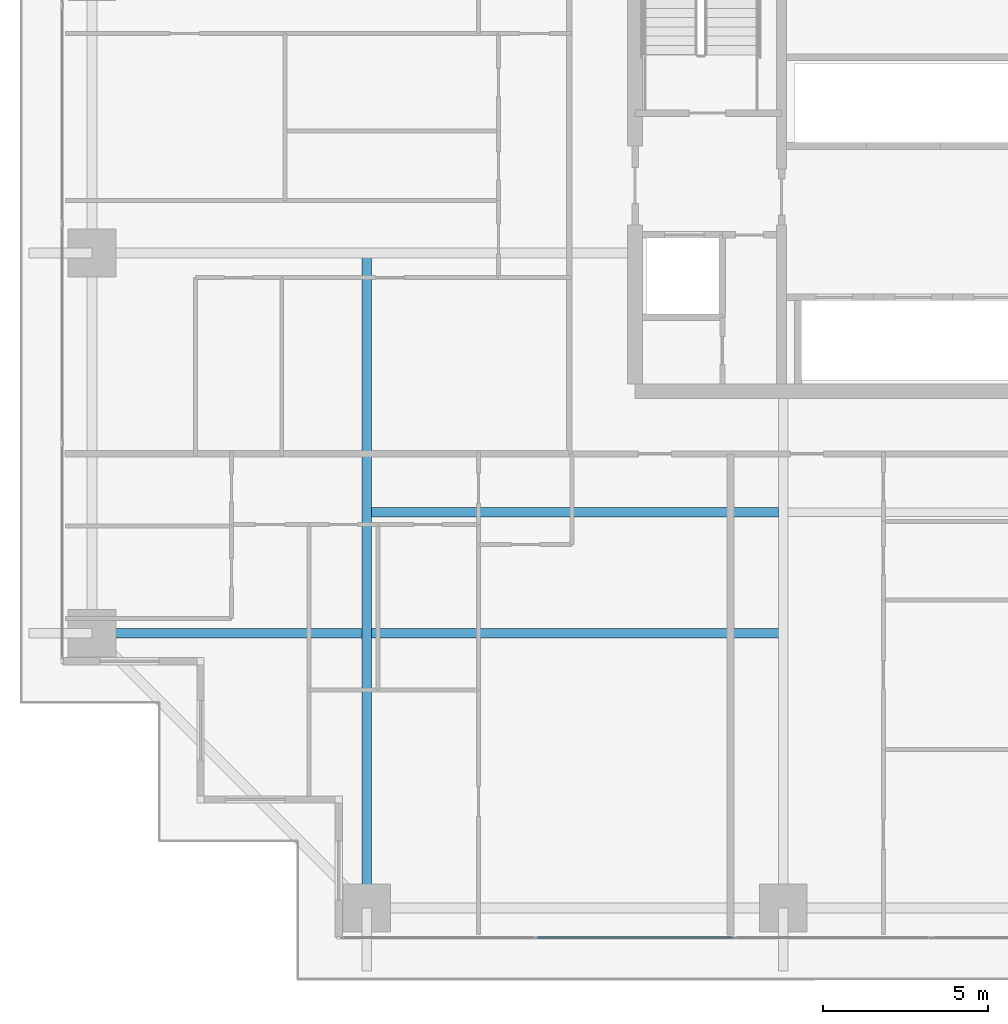
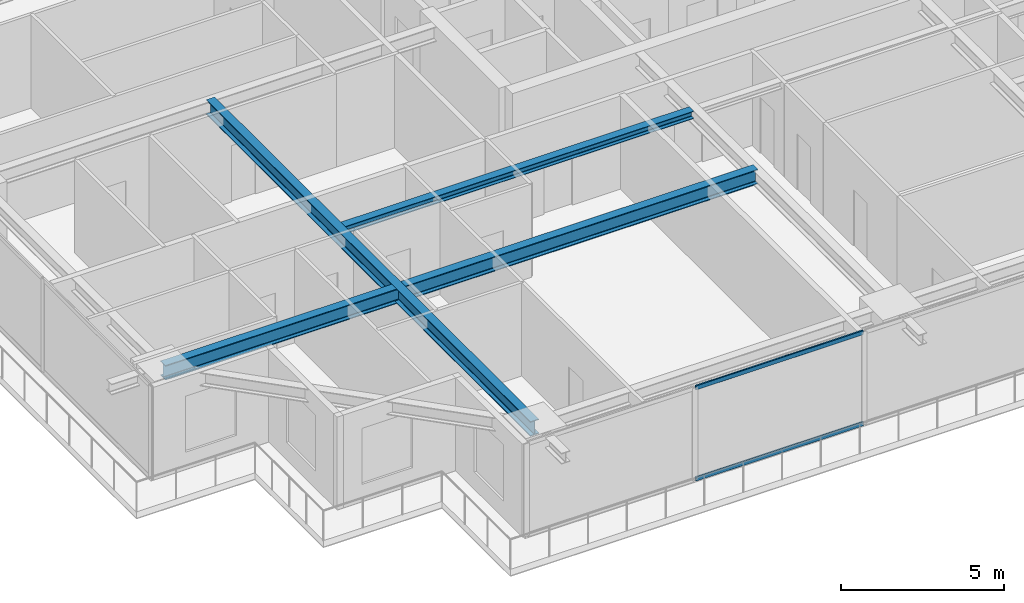
# One storey, part 4 of 38: 3 beams, 2 members, 1 element without a shape of its own.
"""IFC4 building model written with IfcOpenShell, lengths in metres."""

from ifc_helpers import new_model, si_unit, direction, frame, origin, origin_2d, place, context, subcontext, project, spatial, hollow_rectangle, i_section, extrude, source, transform, mapped, material, layer, layer_set, material_profile, profile_set, type_object, element, aggregate, save


model = new_model("IFC4")

# Units and contexts
model_context = context("Model", 3, precision=1e-05, world=origin(), true_north=direction((0.0, 1.0)))
body_context = subcontext(model_context, "Body", "Model", "MODEL_VIEW")
ifc_project = project(units=[si_unit("LENGTHUNIT", "METRE"), si_unit("AREAUNIT", "SQUARE_METRE"), si_unit("VOLUMEUNIT", "CUBIC_METRE"), si_unit("PLANEANGLEUNIT", "RADIAN"), si_unit("MASSUNIT", "GRAM", prefix="KILO")], contexts=[model_context])

# Site, building, storey
site_placement = place(None, origin())
site = spatial("IfcSite", under=ifc_project, at=site_placement, CompositionType="ELEMENT")
building_placement = place(site_placement, origin())
building = spatial("IfcBuilding", under=site, at=building_placement, Name="Serunith Strait Residences", CompositionType="ELEMENT")
storey_placement = place(building_placement, frame((0.0, 0.0, 30.449951171875)))
storey = spatial("IfcBuildingStorey", under=building, at=storey_placement, Name="L06", CompositionType="ELEMENT", Elevation=30.449951171875)

# Beams
ifc_material_1 = material(Name="Steel S355J2", Category="steel")
ifc_material_profile_1 = material_profile(ifc_material_1, i_section(OverallWidth=0.300048828125, OverallDepth=0.550048828125, WebThickness=0.014892578125, FlangeThickness=0.029052734375, FilletRadius=0.027099609375, at=origin_2d()), Name="HEB 550")
ifc_profile_set_1 = profile_set([ifc_material_profile_1], Name="Steel S355J2")
beam_type_1 = type_object("IfcBeamType", Name="BM-HEB550", PredefinedType="BEAM", material=ifc_profile_set_1)
shared_shape_1 = source(origin(), body_context, "Body", "SweptSolid", [
    extrude(i_section(OverallWidth=0.300048828125, OverallDepth=0.550048828125, WebThickness=0.014892578125, FlangeThickness=0.029052734375, FilletRadius=0.027099609375, at=origin_2d()), origin(), (0.0, 0.0, 1.0), 19.89990234375),
])
beam_1_placement = place(storey_placement, frame((15.25, 21.0, 3.212158203125), z_axis=(0.0, -1.0, 0.0), x_axis=(1.0, 0.0, 0.0)))
element("IfcBeam", 1, at=beam_1_placement, inside=storey, type_object=beam_type_1, Name="L06 Orthogonal Corner Girder TC-S1", PredefinedType="BEAM", context=body_context, shape_type="MappedRepresentation", body=[
    mapped(shared_shape_1, transform((0.0, 0.0, 0.0), scale=1.0)),
])
shared_shape_2 = source(origin(), body_context, "Body", "SweptSolid", [
    extrude(i_section(OverallWidth=0.300048828125, OverallDepth=0.550048828125, WebThickness=0.014892578125, FlangeThickness=0.029052734375, FilletRadius=0.027099609375, at=origin_2d()), origin(), (0.0, 0.0, 1.0), 21.0),
])
beam_2_placement = place(storey_placement, frame((27.89990234375, 9.449951171875, 3.212158203125), z_axis=(-1.0, 0.0, 0.0), x_axis=(0.0, -1.0, 0.0)))
element("IfcBeam", 2, at=beam_2_placement, inside=storey, type_object=beam_type_1, Name="L06 Orthogonal Corner Girder TC-W1", PredefinedType="BEAM", context=body_context, shape_type="MappedRepresentation", body=[
    mapped(shared_shape_2, transform((0.0, 0.0, 0.0), scale=1.0)),
])
ifc_material_profile_2 = material_profile(ifc_material_1, i_section(OverallWidth=0.280029296875, OverallDepth=0.280029296875, WebThickness=0.010498046875, FlangeThickness=0.01806640625, FilletRadius=0.02392578125, at=origin_2d()), Name="HEB 280")
ifc_profile_set_2 = profile_set([ifc_material_profile_2], Name="Steel S355J2")
beam_type_2 = type_object("IfcBeamType", Name="BM-HEB280", PredefinedType="JOIST", material=ifc_profile_set_2)
shared_shape_3 = source(origin(), body_context, "Body", "SweptSolid", [
    extrude(i_section(OverallWidth=0.280029296875, OverallDepth=0.280029296875, WebThickness=0.010498046875, FlangeThickness=0.01806640625, FilletRadius=0.02392578125, at=origin_2d()), origin(), (0.0, 0.0, 1.0), 12.35009765625),
])
beam_3_placement = place(storey_placement, frame((15.39990234375, 13.125, 3.34716796875), z_axis=(1.0, 0.0, 0.0), x_axis=(0.0, 1.0, 0.0)))
element("IfcBeam", 3, at=beam_3_placement, inside=storey, type_object=beam_type_2, Name="L06 Composite Floor Joist 01", PredefinedType="JOIST", context=body_context, shape_type="MappedRepresentation", body=[
    mapped(shared_shape_3, transform((0.0, 0.0, 0.0), scale=1.0)),
])

# Curtain wall, members
ifc_material_2 = material(Name="Pale-Champagne Anodised Aluminium", Category="aluminium")
ifc_layer = layer(ifc_material_2, 0.199951171875, Name="Pale-Champagne Anodised Aluminium")
ifc_layer_set = layer_set([ifc_layer], Name="Pale-Champagne Anodised Aluminium")
curtain_wall_type = type_object("IfcCurtainWallType", Name="CW-SYS1", PredefinedType="NOTDEFINED", material=ifc_layer_set)
curtain_wall_placement = place(storey_placement, origin())
curtain_wall = element("IfcCurtainWall", 4, at=curtain_wall_placement, inside=storey, type_object=curtain_wall_type, Name="L06 S Unitised Fritted Curtain Wall", PredefinedType="NOTDEFINED")
ifc_material_profile_3 = material_profile(ifc_material_2, hollow_rectangle(XDim=0.06005859375, YDim=0.159912109375, WallThickness=0.00341796875, InnerFilletRadius=0.00537109375, OuterFilletRadius=0.0087890625, at=origin_2d()), Name="ALU 160x60x3.5")
ifc_profile_set_3 = profile_set([ifc_material_profile_3], Name="Pale-Champagne Anodised Aluminium")
member_type = type_object("IfcMemberType", Name="CW-SYS1-TRAN", PredefinedType="USERDEFINED", material=ifc_profile_set_3)
shared_shape_4 = source(origin(), body_context, "Body", "SweptSolid", [
    extrude(hollow_rectangle(XDim=0.06005859375, YDim=0.159912109375, WallThickness=0.00341796875, InnerFilletRadius=0.00537109375, OuterFilletRadius=0.0087890625, at=origin_2d()), origin(), (0.0, 0.0, 1.0), 5.929931640625),
])
member_1_placement = place(storey_placement, frame((20.43505859375, 0.199951171875, 0.030029296875), z_axis=(1.0, 0.0, 0.0), x_axis=(0.0, 1.0, 0.0)))
member_1 = element("IfcMember", 5, at=member_1_placement, type_object=member_type, Name="CW-1 transom 2.1", ObjectType="TRANSOM", PredefinedType="USERDEFINED", context=body_context, shape_type="MappedRepresentation", body=[
    mapped(shared_shape_4, transform((0.0, 0.0, 0.0), scale=1.0)),
])
member_2_placement = place(storey_placement, frame((20.43505859375, 0.199951171875, 3.445068359375), z_axis=(1.0, 0.0, 0.0), x_axis=(0.0, 1.0, 0.0)))
member_2 = element("IfcMember", 6, at=member_2_placement, type_object=member_type, Name="CW-1 transom 2.2", ObjectType="TRANSOM", PredefinedType="USERDEFINED", context=body_context, shape_type="MappedRepresentation", body=[
    mapped(shared_shape_4, transform((0.0, 0.0, 0.0), scale=1.0)),
])
aggregate(curtain_wall, [member_1, member_2])

save(model, "model.ifc")
